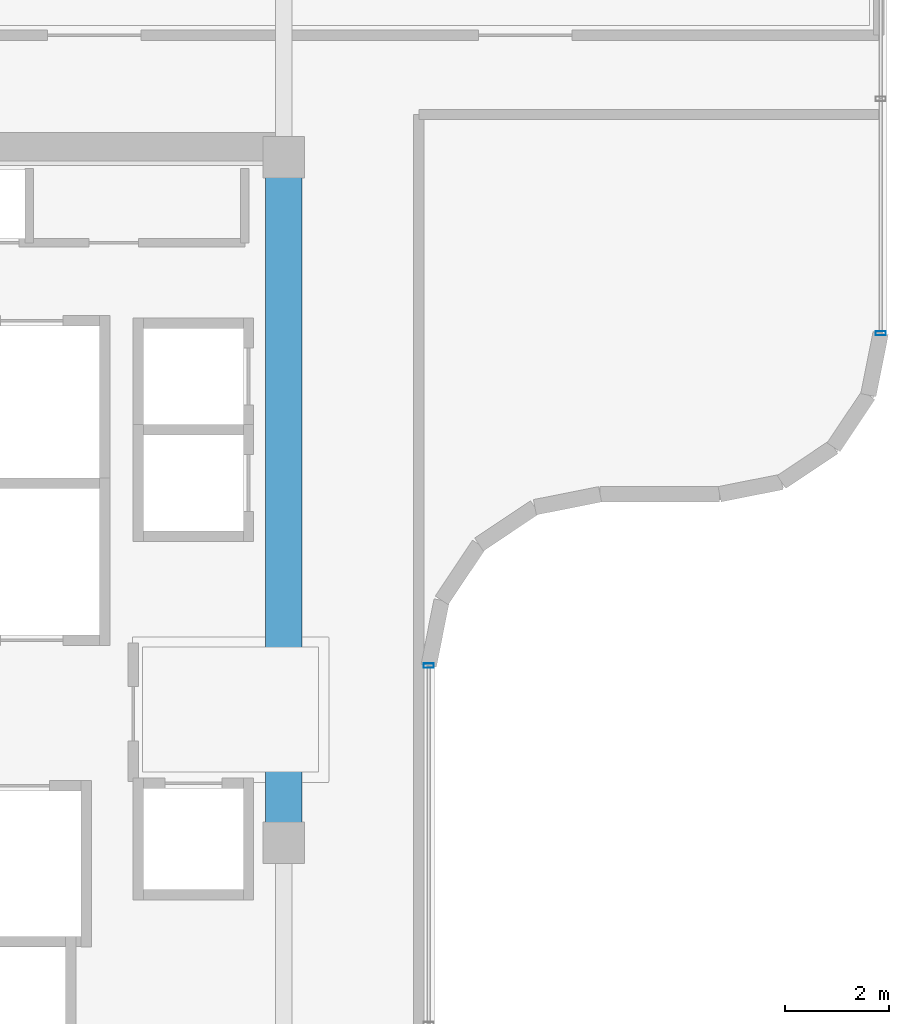
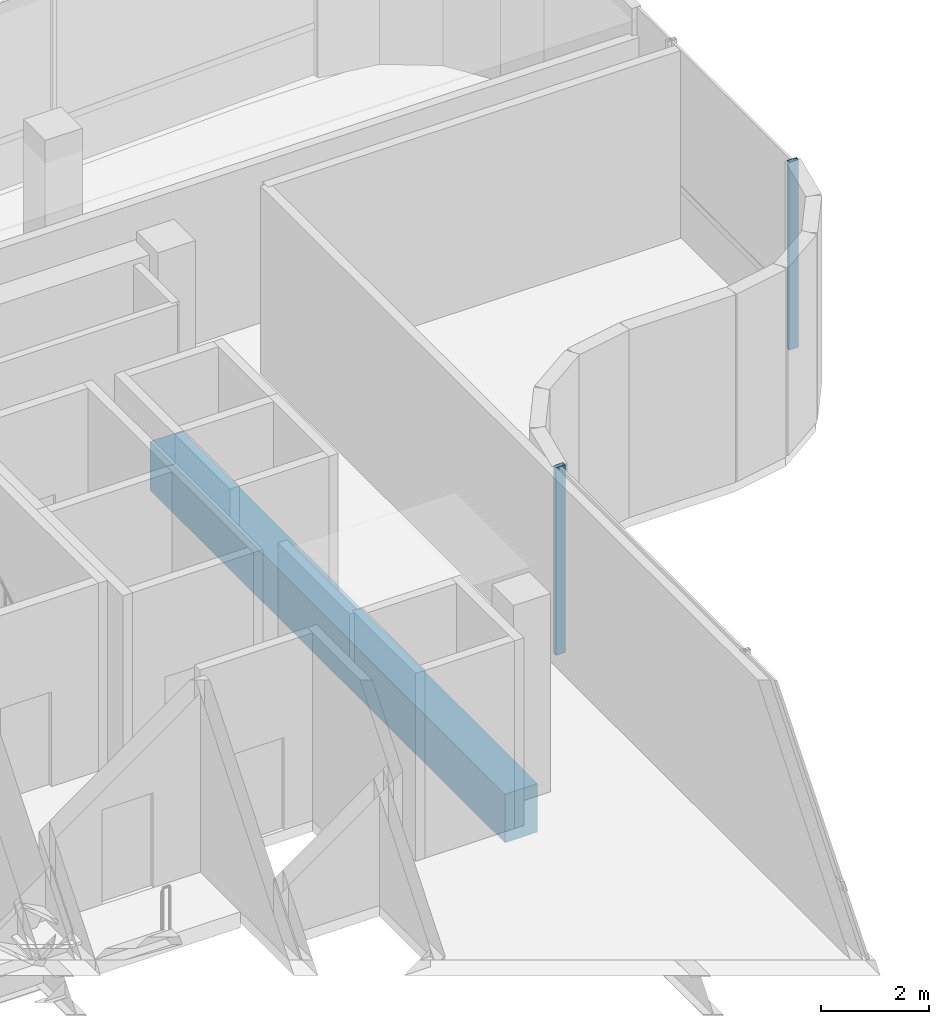
# One storey, part 10 of 19: 2 members, 1 beam, 2 elements without a shape of their own.
"""IFC4 building model written with IfcOpenShell, lengths in metres."""

from ifc_helpers import new_model, si_unit, direction, frame, origin, origin_2d, place, context, subcontext, project, spatial, rectangle, hollow_rectangle, extrude, source, transform, mapped, material, material_profile, profile_set, type_object, element, aggregate, save


model = new_model("IFC4")

# Units and contexts
model_context = context("Model", 3, precision=1e-05, world=origin(), true_north=direction((0.0, 1.0)))
body_context = subcontext(model_context, "Body", "Model", "MODEL_VIEW")
ifc_project = project(units=[si_unit("LENGTHUNIT", "METRE"), si_unit("AREAUNIT", "SQUARE_METRE"), si_unit("VOLUMEUNIT", "CUBIC_METRE"), si_unit("PLANEANGLEUNIT", "RADIAN"), si_unit("MASSUNIT", "GRAM", prefix="KILO")], contexts=[model_context])

# Site, building, storey
site_placement = place(None, origin())
site = spatial("IfcSite", under=ifc_project, at=site_placement, CompositionType="ELEMENT")
building_placement = place(site_placement, origin())
building = spatial("IfcBuilding", under=site, at=building_placement, Name="Valdorenza Pilgrim Sanctuary Tower", CompositionType="ELEMENT")
storey_placement = place(building_placement, frame((0.0, 0.0, 261.5)))
storey = spatial("IfcBuildingStorey", under=building, at=storey_placement, Name="L68", CompositionType="ELEMENT", Elevation=261.5)

# Beam
ifc_material_1 = material(Name="Concrete C50/60", Category="concrete")
ifc_material_profile_1 = material_profile(ifc_material_1, rectangle(XDim=0.699951171875, YDim=1.10009765625, at=origin_2d()), Name="RC 1100x700")
ifc_profile_set_1 = profile_set([ifc_material_profile_1], Name="Concrete C50/60")
beam_type = type_object("IfcBeamType", Name="STR-BM-LNT-1100", PredefinedType="LINTEL", material=ifc_profile_set_1)
shared_shape_1 = source(origin(), body_context, "Body", "SweptSolid", [
    extrude(rectangle(XDim=0.699951171875, YDim=1.10009765625, at=origin_2d()), origin(), (0.0, 0.0, 1.0), 13.2001953125),
])
beam_placement = place(storey_placement, frame((-12.39990234375, -2.60009765625, -0.590087890625), z_axis=(0.0, 1.0, 0.0), x_axis=(-1.0, 0.0, 0.0)))
element("IfcBeam", 1, at=beam_placement, inside=storey, type_object=beam_type, Name="L68 Core A Coupling Lintel Girder", PredefinedType="LINTEL", context=body_context, shape_type="MappedRepresentation", body=[
    mapped(shared_shape_1, transform((0.0, 0.0, 0.0), x_axis=(1.0, 0.0, 0.0), y_axis=(0.0, 1.0, 0.0), z_axis=(0.0, 0.0, 1.0), scale=1.0)),
])

# Curtain wall, member
ifc_material_2 = material(Name="Curtain-wall IGU glazing", Category="glass")
curtain_wall_type = type_object("IfcCurtainWallType", Name="CW-SYS-02", PredefinedType="NOTDEFINED", material=ifc_material_2)
curtain_wall_1_placement = place(storey_placement, origin())
curtain_wall_1 = element("IfcCurtainWall", 2, at=curtain_wall_1_placement, inside=storey, type_object=curtain_wall_type, Name="L68 Curtain Wall CW-L68-1-11", PredefinedType="NOTDEFINED")
ifc_material_3 = material(Name="Anodised aluminium AW-6060", Category="aluminium")
ifc_material_profile_2 = material_profile(ifc_material_3, hollow_rectangle(XDim=0.0849609375, YDim=0.199951171875, WallThickness=0.0048828125, at=origin_2d()), Name="ALU-M 200x85x5")
ifc_profile_set_2 = profile_set([ifc_material_profile_2], Name="Anodised aluminium AW-6060")
member_type = type_object("IfcMemberType", Name="CW-MUL-02", PredefinedType="MULLION", material=ifc_profile_set_2)
shared_shape_2 = source(origin(), body_context, "Body", "SweptSolid", [
    extrude(hollow_rectangle(XDim=0.0849609375, YDim=0.199951171875, WallThickness=0.0048828125, at=origin_2d()), origin(), (0.0, 0.0, 1.0), 4.260009765625),
])
member_1_placement = place(storey_placement, frame((-0.909912109375, 7.210693359375, 0.0), z_axis=(0.0, 0.0, 1.0), x_axis=(0.0, -1.0, 0.0)))
member_1 = element("IfcMember", 3, at=member_1_placement, type_object=member_type, Name="CW-L68-1-11 Mullion 3", PredefinedType="MULLION", context=body_context, shape_type="MappedRepresentation", body=[
    mapped(shared_shape_2, transform((0.0, 0.0, 0.0), x_axis=(1.0, 0.0, 0.0), y_axis=(0.0, 1.0, 0.0), z_axis=(0.0, 0.0, 1.0), scale=1.0)),
])
aggregate(curtain_wall_1, [member_1])

curtain_wall_2_placement = place(storey_placement, origin())
curtain_wall_2 = element("IfcCurtainWall", 4, at=curtain_wall_2_placement, inside=storey, type_object=curtain_wall_type, Name="L68 Curtain Wall CW-L68-1-21", PredefinedType="NOTDEFINED")
member_2_placement = place(storey_placement, frame((-9.610107421875, 0.810791015625, 0.0), z_axis=(0.0, 0.0, 1.0), x_axis=(0.0, -1.0, 0.0)))
member_2 = element("IfcMember", 5, at=member_2_placement, type_object=member_type, Name="CW-L68-1-21 Mullion 1", PredefinedType="MULLION", context=body_context, shape_type="MappedRepresentation", body=[
    mapped(shared_shape_2, transform((0.0, 0.0, 0.0), x_axis=(1.0, 0.0, 0.0), y_axis=(0.0, 1.0, 0.0), z_axis=(0.0, 0.0, 1.0), scale=1.0)),
])
aggregate(curtain_wall_2, [member_2])

save(model, "model.ifc")
